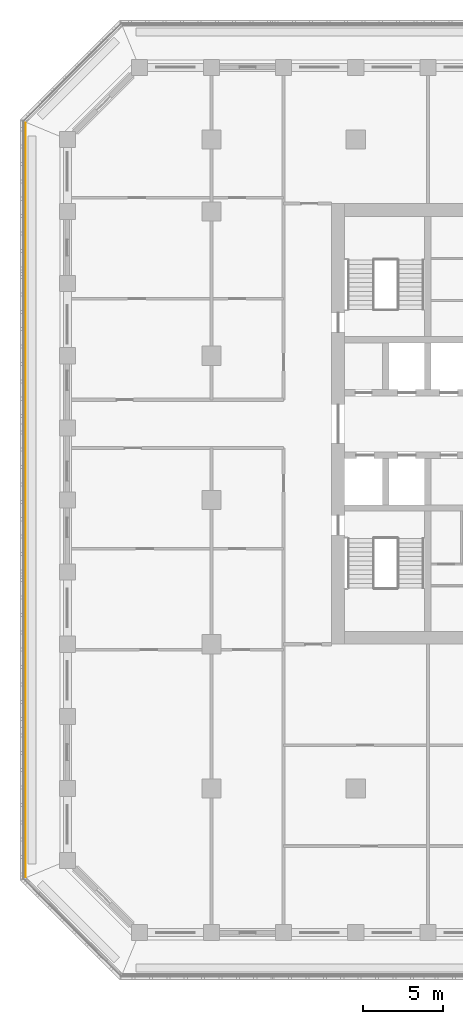
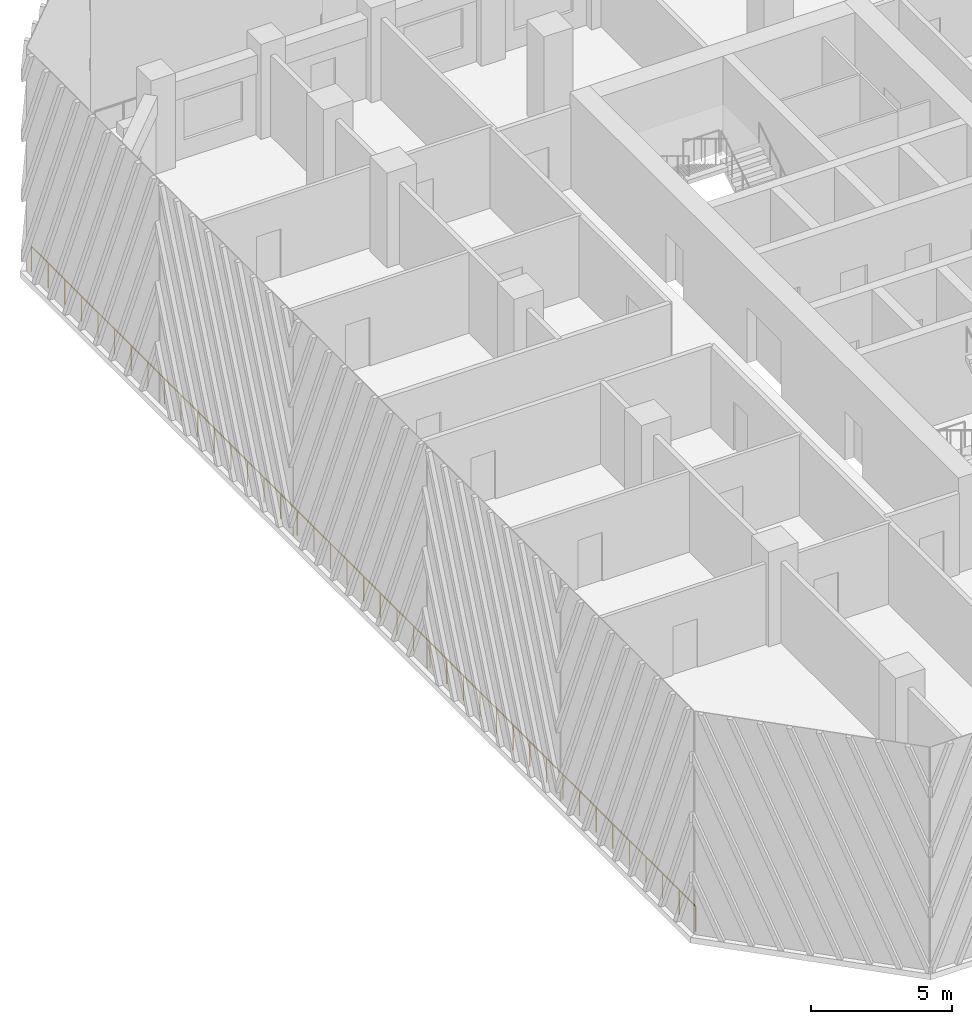
# One storey, part 11 of 18: 1 railing.
"""IFC4 building model written with IfcOpenShell, lengths in metres."""

from ifc_helpers import new_model, si_unit, direction, frame, origin, origin_2d, place, context, subcontext, project, spatial, circle, extrude, material, type_object, element, save


model = new_model("IFC4")

# Units and contexts
model_context = context("Model", 3, precision=1e-05, world=origin(), true_north=direction((0.0, 1.0)))
body_context = subcontext(model_context, "Body", "Model", "MODEL_VIEW")
ifc_project = project(units=[si_unit("LENGTHUNIT", "METRE"), si_unit("AREAUNIT", "SQUARE_METRE"), si_unit("VOLUMEUNIT", "CUBIC_METRE"), si_unit("PLANEANGLEUNIT", "RADIAN"), si_unit("MASSUNIT", "GRAM", prefix="KILO")], contexts=[model_context])

# Site, building, storey
site_placement = place(None, origin())
site = spatial("IfcSite", under=ifc_project, at=site_placement, CompositionType="ELEMENT")
building_placement = place(site_placement, origin())
building = spatial("IfcBuilding", under=site, at=building_placement, Name="Corbel Stack Research Tower", CompositionType="ELEMENT")
storey_placement = place(building_placement, frame((0.0, 0.0, 181.39990234375)))
storey = spatial("IfcBuildingStorey", under=building, at=storey_placement, Name="L41", CompositionType="ELEMENT", Elevation=181.39990234375)

# Railing
ifc_material = material(Name="Powder-coated steel guard", Category="steel")
railing_type = type_object("IfcRailingType", Name="Steel and glass guard 1100", PredefinedType="GUARDRAIL", material=ifc_material)
railing_placement = place(storey_placement, frame((-29.60009765625, 23.50537109375, 0.0)))
element("IfcRailing", 1, at=railing_placement, inside=storey, type_object=railing_type, Name="Loggia guard L41 W", PredefinedType="GUARDRAIL", context=body_context, shape_type="SweptSolid", body=[
    extrude(circle(Radius=0.02392578125, at=origin_2d()), frame((0.0, 0.0, 1.076171875), z_axis=(0.0, -1.0, 0.0), x_axis=(1.0, 0.0, 0.0)), (0.0, 0.0, 1.0), 47.0107421875),
    extrude(circle(Radius=0.02099609375, at=origin_2d()), origin(), (0.0, 0.0, 1.0), 1.052001953125),
    extrude(circle(Radius=0.02099609375, at=origin_2d()), frame((0.0, -1.17529296875, 0.0)), (0.0, 0.0, 1.0), 1.052001953125),
    extrude(circle(Radius=0.02099609375, at=origin_2d()), frame((0.0, -2.3505859375, 0.0)), (0.0, 0.0, 1.0), 1.052001953125),
    extrude(circle(Radius=0.02099609375, at=origin_2d()), frame((0.0, -3.52587890625, 0.0)), (0.0, 0.0, 1.0), 1.052001953125),
    extrude(circle(Radius=0.02099609375, at=origin_2d()), frame((0.0, -4.701171875, 0.0)), (0.0, 0.0, 1.0), 1.052001953125),
    extrude(circle(Radius=0.02099609375, at=origin_2d()), frame((0.0, -5.87646484375, 0.0)), (0.0, 0.0, 1.0), 1.052001953125),
    extrude(circle(Radius=0.02099609375, at=origin_2d()), frame((0.0, -7.051513671875, 0.0)), (0.0, 0.0, 1.0), 1.052001953125),
    extrude(circle(Radius=0.02099609375, at=origin_2d()), frame((0.0, -8.226806640625, 0.0)), (0.0, 0.0, 1.0), 1.052001953125),
    extrude(circle(Radius=0.02099609375, at=origin_2d()), frame((0.0, -9.402099609375, 0.0)), (0.0, 0.0, 1.0), 1.052001953125),
    extrude(circle(Radius=0.02099609375, at=origin_2d()), frame((0.0, -10.577392578125, 0.0)), (0.0, 0.0, 1.0), 1.052001953125),
    extrude(circle(Radius=0.02099609375, at=origin_2d()), frame((0.0, -11.752685546875, 0.0)), (0.0, 0.0, 1.0), 1.052001953125),
    extrude(circle(Radius=0.02099609375, at=origin_2d()), frame((0.0, -12.927978515625, 0.0)), (0.0, 0.0, 1.0), 1.052001953125),
    extrude(circle(Radius=0.02099609375, at=origin_2d()), frame((0.0, -14.103271484375, 0.0)), (0.0, 0.0, 1.0), 1.052001953125),
    extrude(circle(Radius=0.02099609375, at=origin_2d()), frame((0.0, -15.278564453125, 0.0)), (0.0, 0.0, 1.0), 1.052001953125),
    extrude(circle(Radius=0.02099609375, at=origin_2d()), frame((0.0, -16.453857421875, 0.0)), (0.0, 0.0, 1.0), 1.052001953125),
    extrude(circle(Radius=0.02099609375, at=origin_2d()), frame((0.0, -17.62890625, 0.0)), (0.0, 0.0, 1.0), 1.052001953125),
    extrude(circle(Radius=0.02099609375, at=origin_2d()), frame((0.0, -18.80419921875, 0.0)), (0.0, 0.0, 1.0), 1.052001953125),
    extrude(circle(Radius=0.02099609375, at=origin_2d()), frame((0.0, -19.9794921875, 0.0)), (0.0, 0.0, 1.0), 1.052001953125),
    extrude(circle(Radius=0.02099609375, at=origin_2d()), frame((0.0, -21.15478515625, 0.0)), (0.0, 0.0, 1.0), 1.052001953125),
    extrude(circle(Radius=0.02099609375, at=origin_2d()), frame((0.0, -22.330078125, 0.0)), (0.0, 0.0, 1.0), 1.052001953125),
    extrude(circle(Radius=0.02099609375, at=origin_2d()), frame((0.0, -23.50537109375, 0.0)), (0.0, 0.0, 1.0), 1.052001953125),
    extrude(circle(Radius=0.02099609375, at=origin_2d()), frame((0.0, -24.6806640625, 0.0)), (0.0, 0.0, 1.0), 1.052001953125),
    extrude(circle(Radius=0.02099609375, at=origin_2d()), frame((0.0, -25.85595703125, 0.0)), (0.0, 0.0, 1.0), 1.052001953125),
    extrude(circle(Radius=0.02099609375, at=origin_2d()), frame((0.0, -27.03125, 0.0)), (0.0, 0.0, 1.0), 1.052001953125),
    extrude(circle(Radius=0.02099609375, at=origin_2d()), frame((0.0, -28.20654296875, 0.0)), (0.0, 0.0, 1.0), 1.052001953125),
    extrude(circle(Radius=0.02099609375, at=origin_2d()), frame((0.0, -29.3818359375, 0.0)), (0.0, 0.0, 1.0), 1.052001953125),
    extrude(circle(Radius=0.02099609375, at=origin_2d()), frame((0.0, -30.556884765625, 0.0)), (0.0, 0.0, 1.0), 1.052001953125),
    extrude(circle(Radius=0.02099609375, at=origin_2d()), frame((0.0, -31.732177734375, 0.0)), (0.0, 0.0, 1.0), 1.052001953125),
    extrude(circle(Radius=0.02099609375, at=origin_2d()), frame((0.0, -32.907470703125, 0.0)), (0.0, 0.0, 1.0), 1.052001953125),
    extrude(circle(Radius=0.02099609375, at=origin_2d()), frame((0.0, -34.082763671875, 0.0)), (0.0, 0.0, 1.0), 1.052001953125),
    extrude(circle(Radius=0.02099609375, at=origin_2d()), frame((0.0, -35.258056640625, 0.0)), (0.0, 0.0, 1.0), 1.052001953125),
    extrude(circle(Radius=0.02099609375, at=origin_2d()), frame((0.0, -36.433349609375, 0.0)), (0.0, 0.0, 1.0), 1.052001953125),
    extrude(circle(Radius=0.02099609375, at=origin_2d()), frame((0.0, -37.608642578125, 0.0)), (0.0, 0.0, 1.0), 1.052001953125),
    extrude(circle(Radius=0.02099609375, at=origin_2d()), frame((0.0, -38.783935546875, 0.0)), (0.0, 0.0, 1.0), 1.052001953125),
    extrude(circle(Radius=0.02099609375, at=origin_2d()), frame((0.0, -39.959228515625, 0.0)), (0.0, 0.0, 1.0), 1.052001953125),
    extrude(circle(Radius=0.02099609375, at=origin_2d()), frame((0.0, -41.13427734375, 0.0)), (0.0, 0.0, 1.0), 1.052001953125),
    extrude(circle(Radius=0.02099609375, at=origin_2d()), frame((0.0, -42.3095703125, 0.0)), (0.0, 0.0, 1.0), 1.052001953125),
    extrude(circle(Radius=0.02099609375, at=origin_2d()), frame((0.0, -43.48486328125, 0.0)), (0.0, 0.0, 1.0), 1.052001953125),
    extrude(circle(Radius=0.02099609375, at=origin_2d()), frame((0.0, -44.66015625, 0.0)), (0.0, 0.0, 1.0), 1.052001953125),
    extrude(circle(Radius=0.02099609375, at=origin_2d()), frame((0.0, -45.83544921875, 0.0)), (0.0, 0.0, 1.0), 1.052001953125),
    extrude(circle(Radius=0.02099609375, at=origin_2d()), frame((0.0, -47.0107421875, 0.0)), (0.0, 0.0, 1.0), 1.052001953125),
])

save(model, "model.ifc")
